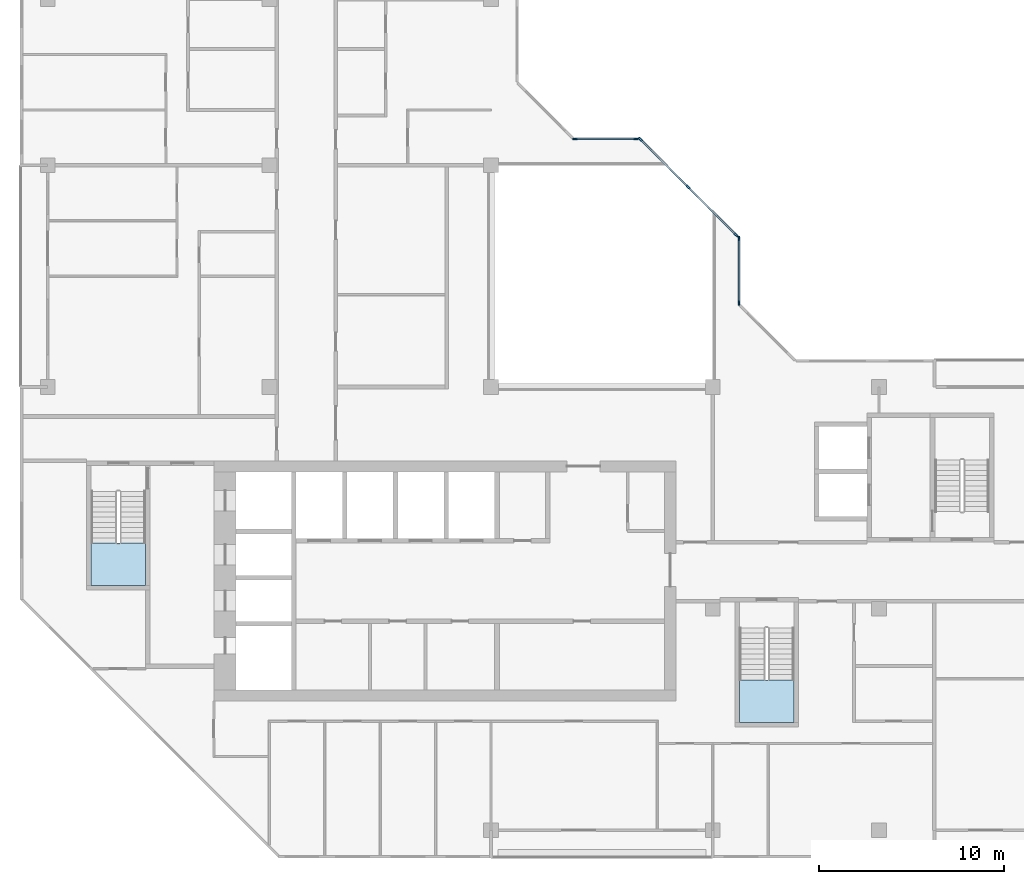
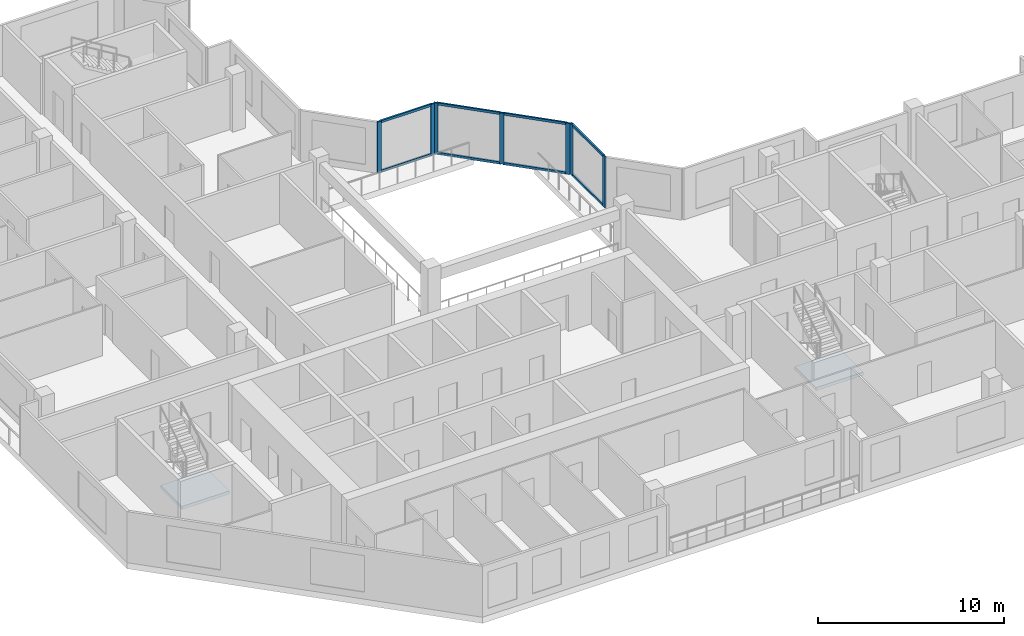
# One storey, part 2 of 13: 15 members, 2 slabs, 5 elements without a shape of their own.
"""IFC4 building model written with IfcOpenShell, lengths in metres."""

from ifc_helpers import new_model, si_unit, direction, frame, origin, origin_2d, place, context, subcontext, project, spatial, polyline, rectangle, outline, extrude, material, layer, layer_set, material_profile, profile_set, type_object, element, aggregate, save


model = new_model("IFC4")

# Units and contexts
model_context = context("Model", 3, precision=1e-05, world=origin(), true_north=direction((0.0, 1.0)))
body_context = subcontext(model_context, "Body", "Model", "MODEL_VIEW")
ifc_project = project(units=[si_unit("LENGTHUNIT", "METRE"), si_unit("AREAUNIT", "SQUARE_METRE"), si_unit("VOLUMEUNIT", "CUBIC_METRE"), si_unit("PLANEANGLEUNIT", "RADIAN"), si_unit("MASSUNIT", "GRAM", prefix="KILO")], contexts=[model_context])

# Site, building, storey
site_placement = place(None, origin())
site = spatial("IfcSite", under=ifc_project, at=site_placement, CompositionType="ELEMENT")
building_placement = place(site_placement, origin())
building = spatial("IfcBuilding", under=site, at=building_placement, Name="Chenar Terraces", CompositionType="ELEMENT")
storey_placement = place(building_placement, frame((0.0, 0.0, 277.14990234375)))
storey = spatial("IfcBuildingStorey", under=building, at=storey_placement, Name="L64", CompositionType="ELEMENT", Elevation=277.14990234375)

# Curtain wall, members
ifc_material_1 = material(Name="Aluminium framed glazing", Category="aluminium")
ifc_layer_1 = layer(ifc_material_1, 0.14990234375)
ifc_layer_set_1 = layer_set([ifc_layer_1], Name="Aluminium framed glazing")
curtain_wall_type = type_object("IfcCurtainWallType", Name="Atrium upper-zone curtain wall", PredefinedType="NOTDEFINED", material=ifc_layer_set_1)
placement_1 = place(storey_placement, origin())
curtain_wall_1 = element("IfcCurtainWall", 1, at=placement_1, inside=storey, type_object=curtain_wall_type, Name="Atrium upper-zone curtain wall", PredefinedType="NOTDEFINED")
ifc_material_2 = material(Name="Aluminium", Category="aluminium")
ifc_material_profile_1 = material_profile(ifc_material_2, rectangle(XDim=0.10009765625, YDim=0.239990234375, at=origin_2d()), Name="Atrium upper-zone glazing mullion 100 x 240")
ifc_profile_set_1 = profile_set([ifc_material_profile_1], Name="Aluminium")
member_type_1 = type_object("IfcMemberType", Name="Atrium upper-zone glazing mullion 100 x 240", PredefinedType="MULLION", material=ifc_profile_set_1)
member_1_placement = place(storey_placement, frame((37.425048828125, 28.550048828125, 0.0), z_axis=(0.0, 0.0, 1.0), x_axis=(-1.0, 0.0, 0.0)))
member_1 = element("IfcMember", 2, at=member_1_placement, type_object=member_type_1, Name="CW8-1 mullion 1", PredefinedType="MULLION", context=body_context, shape_type="SweptSolid", body=[
    extrude(rectangle(XDim=0.10009765625, YDim=0.239990234375, at=origin_2d()), origin(), (0.0, 0.0, 1.0), 3.35009765625),
])
member_2_placement = place(storey_placement, frame((37.425048828125, 32.050048828125, 0.0), z_axis=(0.0, 0.0, 1.0), x_axis=(-1.0, 0.0, 0.0)))
member_2 = element("IfcMember", 3, at=member_2_placement, type_object=member_type_1, Name="CW8-1 mullion 2", PredefinedType="MULLION", context=body_context, shape_type="SweptSolid", body=[
    extrude(rectangle(XDim=0.10009765625, YDim=0.239990234375, at=origin_2d()), origin(), (0.0, 0.0, 1.0), 3.35009765625),
])

curtain_wall_2 = element("IfcCurtainWall", 4, at=placement_1, inside=storey, type_object=curtain_wall_type, Name="Atrium upper-zone curtain wall", PredefinedType="NOTDEFINED")
member_3_placement = place(storey_placement, frame((37.270263671875, 32.2236328125, 0.0), z_axis=(0.0, 0.0, 1.0), x_axis=(-0.707106781187, -0.707106781187, 0.0)))
member_3 = element("IfcMember", 5, at=member_3_placement, type_object=member_type_1, Name="CW8-2 mullion 1", PredefinedType="MULLION", context=body_context, shape_type="SweptSolid", body=[
    extrude(rectangle(XDim=0.10009765625, YDim=0.239990234375, at=origin_2d()), origin(), (0.0, 0.0, 1.0), 3.35009765625),
])
member_4_placement = place(storey_placement, frame((34.67626953125, 34.817626953125, 0.0), z_axis=(0.0, 0.0, 1.0), x_axis=(-0.707106781187, -0.707106781187, 0.0)))
member_4 = element("IfcMember", 6, at=member_4_placement, type_object=member_type_1, Name="CW8-2 mullion 2", PredefinedType="MULLION", context=body_context, shape_type="SweptSolid", body=[
    extrude(rectangle(XDim=0.10009765625, YDim=0.239990234375, at=origin_2d()), origin(), (0.0, 0.0, 1.0), 3.35009765625),
])
member_5_placement = place(storey_placement, frame((32.082275390625, 37.41162109375, 0.0), z_axis=(0.0, 0.0, 1.0), x_axis=(-0.707106781187, -0.707106781187, 0.0)))
member_5 = element("IfcMember", 7, at=member_5_placement, type_object=member_type_1, Name="CW8-2 mullion 3", PredefinedType="MULLION", context=body_context, shape_type="SweptSolid", body=[
    extrude(rectangle(XDim=0.10009765625, YDim=0.239990234375, at=origin_2d()), origin(), (0.0, 0.0, 1.0), 3.35009765625),
])

curtain_wall_3 = element("IfcCurtainWall", 8, at=placement_1, inside=storey, type_object=curtain_wall_type, Name="Atrium upper-zone curtain wall", PredefinedType="NOTDEFINED")
member_6_placement = place(storey_placement, frame((31.85009765625, 37.425048828125, 0.0), z_axis=(0.0, 0.0, 1.0), x_axis=(0.0, -1.0, 0.0)))
member_6 = element("IfcMember", 9, at=member_6_placement, type_object=member_type_1, Name="CW8-3 mullion 1", PredefinedType="MULLION", context=body_context, shape_type="SweptSolid", body=[
    extrude(rectangle(XDim=0.10009765625, YDim=0.239990234375, at=origin_2d()), origin(), (0.0, 0.0, 1.0), 3.35009765625),
])
member_7_placement = place(storey_placement, frame((28.550048828125, 37.425048828125, 0.0), z_axis=(0.0, 0.0, 1.0), x_axis=(0.0, -1.0, 0.0)))
member_7 = element("IfcMember", 10, at=member_7_placement, type_object=member_type_1, Name="CW8-3 mullion 2", PredefinedType="MULLION", context=body_context, shape_type="SweptSolid", body=[
    extrude(rectangle(XDim=0.10009765625, YDim=0.239990234375, at=origin_2d()), origin(), (0.0, 0.0, 1.0), 3.35009765625),
])

# Member
ifc_material_3 = material(Name="Aluminium", Category="aluminium")
ifc_material_profile_2 = material_profile(ifc_material_3, rectangle(XDim=0.10009765625, YDim=0.159912109375, at=origin_2d()), Name="Atrium upper-zone glazing transom 100 x 160")
ifc_profile_set_2 = profile_set([ifc_material_profile_2], Name="Aluminium")
member_type_2 = type_object("IfcMemberType", Name="Atrium upper-zone glazing transom 100 x 160", PredefinedType="USERDEFINED", material=ifc_profile_set_2)
member_8_placement = place(storey_placement, frame((37.425048828125, 28.60009765625, 0.050048828125), z_axis=(0.0, 1.0, 0.0), x_axis=(-1.0, 0.0, 0.0)))
member_8 = element("IfcMember", 11, at=member_8_placement, type_object=member_type_2, Name="CW8-1 transom 1.1", ObjectType="TRANSOM", PredefinedType="USERDEFINED", context=body_context, shape_type="SweptSolid", body=[
    extrude(rectangle(XDim=0.10009765625, YDim=0.159912109375, at=origin_2d()), origin(), (0.0, 0.0, 1.0), 3.39990234375),
])

member_9_placement = place(storey_placement, frame((37.425048828125, 28.60009765625, 3.300048828125), z_axis=(0.0, 1.0, 0.0), x_axis=(-1.0, 0.0, 0.0)))
member_9 = element("IfcMember", 12, at=member_9_placement, type_object=member_type_2, Name="CW8-1 transom 1.2", ObjectType="TRANSOM", PredefinedType="USERDEFINED", context=body_context, shape_type="SweptSolid", body=[
    extrude(rectangle(XDim=0.10009765625, YDim=0.159912109375, at=origin_2d()), origin(), (0.0, 0.0, 1.0), 3.39990234375),
])

aggregate(curtain_wall_1, [member_1, member_2, member_8, member_9])

member_10_placement = place(storey_placement, frame((37.23486328125, 32.259033203125, 0.050048828125), z_axis=(-0.707106781187, 0.707106781187, 0.0), x_axis=(-0.707106781187, -0.707106781187, 0.0)))
member_10 = element("IfcMember", 13, at=member_10_placement, type_object=member_type_2, Name="CW8-2 transom 1.1", ObjectType="TRANSOM", PredefinedType="USERDEFINED", context=body_context, shape_type="SweptSolid", body=[
    extrude(rectangle(XDim=0.10009765625, YDim=0.159912109375, at=origin_2d()), origin(), (0.0, 0.0, 1.0), 3.568359375),
])

member_11_placement = place(storey_placement, frame((37.23486328125, 32.259033203125, 3.300048828125), z_axis=(-0.707106781187, 0.707106781187, 0.0), x_axis=(-0.707106781187, -0.707106781187, 0.0)))
member_11 = element("IfcMember", 14, at=member_11_placement, type_object=member_type_2, Name="CW8-2 transom 1.2", ObjectType="TRANSOM", PredefinedType="USERDEFINED", context=body_context, shape_type="SweptSolid", body=[
    extrude(rectangle(XDim=0.10009765625, YDim=0.159912109375, at=origin_2d()), origin(), (0.0, 0.0, 1.0), 3.568359375),
])

member_12_placement = place(storey_placement, frame((34.640869140625, 34.85302734375, 0.050048828125), z_axis=(-0.707106781187, 0.707106781187, 0.0), x_axis=(-0.707106781187, -0.707106781187, 0.0)))
member_12 = element("IfcMember", 15, at=member_12_placement, type_object=member_type_2, Name="CW8-2 transom 2.1", ObjectType="TRANSOM", PredefinedType="USERDEFINED", context=body_context, shape_type="SweptSolid", body=[
    extrude(rectangle(XDim=0.10009765625, YDim=0.159912109375, at=origin_2d()), origin(), (0.0, 0.0, 1.0), 3.568359375),
])

member_13_placement = place(storey_placement, frame((34.640869140625, 34.85302734375, 3.300048828125), z_axis=(-0.707106781187, 0.707106781187, 0.0), x_axis=(-0.707106781187, -0.707106781187, 0.0)))
member_13 = element("IfcMember", 16, at=member_13_placement, type_object=member_type_2, Name="CW8-2 transom 2.2", ObjectType="TRANSOM", PredefinedType="USERDEFINED", context=body_context, shape_type="SweptSolid", body=[
    extrude(rectangle(XDim=0.10009765625, YDim=0.159912109375, at=origin_2d()), origin(), (0.0, 0.0, 1.0), 3.568359375),
])

aggregate(curtain_wall_2, [member_3, member_4, member_5, member_10, member_11, member_12, member_13])

member_14_placement = place(storey_placement, frame((31.800048828125, 37.425048828125, 0.050048828125), z_axis=(-1.0, 0.0, 0.0), x_axis=(0.0, -1.0, 0.0)))
member_14 = element("IfcMember", 17, at=member_14_placement, type_object=member_type_2, Name="CW8-3 transom 1.1", ObjectType="TRANSOM", PredefinedType="USERDEFINED", context=body_context, shape_type="SweptSolid", body=[
    extrude(rectangle(XDim=0.10009765625, YDim=0.159912109375, at=origin_2d()), origin(), (0.0, 0.0, 1.0), 3.199951171875),
])

member_15_placement = place(storey_placement, frame((31.800048828125, 37.425048828125, 3.300048828125), z_axis=(-1.0, 0.0, 0.0), x_axis=(0.0, -1.0, 0.0)))
member_15 = element("IfcMember", 18, at=member_15_placement, type_object=member_type_2, Name="CW8-3 transom 1.2", ObjectType="TRANSOM", PredefinedType="USERDEFINED", context=body_context, shape_type="SweptSolid", body=[
    extrude(rectangle(XDim=0.10009765625, YDim=0.159912109375, at=origin_2d()), origin(), (0.0, 0.0, 1.0), 3.199951171875),
])

aggregate(curtain_wall_3, [member_6, member_7, member_14, member_15])

# Stair, slab
ifc_material_4 = material(Name="Reinforced concrete C40/50", Category="concrete")
stair_type = type_object("IfcStairType", Name="Core stair 1400 half-turn", PredefinedType="HALF_TURN_STAIR", material=ifc_material_4)
stair_1 = element("IfcStair", 19, at=placement_1, inside=storey, type_object=stair_type, Name="L64 Stair 1", PredefinedType="HALF_TURN_STAIR")
ifc_material_5 = material(Name="Reinforced concrete C40/50", Category="concrete")
ifc_layer_2 = layer(ifc_material_5, 0.199951171875)
ifc_layer_set_2 = layer_set([ifc_layer_2], Name="Reinforced concrete C40/50")
slab_type = type_object("IfcSlabType", Name="Core stair landing 200", PredefinedType="LANDING", material=ifc_layer_set_2)
placement_2 = place(storey_placement, frame((0.0, 0.0, 1.675048828125)))
slab_1 = element("IfcSlab", 20, at=placement_2, type_object=slab_type, Name="ST1 landing 1", PredefinedType="LANDING", context=body_context, shape_type="SweptSolid", body=[
    extrude(outline(polyline([(2.35009765625, 15.550048828125), (2.35009765625, 13.25), (5.300048828125, 13.25), (5.300048828125, 15.550048828125), (2.35009765625, 15.550048828125)])), origin(), (0.0, 0.0, 1.0), 0.199951171875),
])
aggregate(stair_1, [slab_1])

stair_2 = element("IfcStair", 21, at=placement_1, inside=storey, type_object=stair_type, Name="L64 Stair 2", PredefinedType="HALF_TURN_STAIR")
slab_2 = element("IfcSlab", 22, at=placement_2, type_object=slab_type, Name="ST2 landing 1", PredefinedType="LANDING", context=body_context, shape_type="SweptSolid", body=[
    extrude(outline(polyline([(37.449951171875, 8.14990234375), (37.449951171875, 5.85009765625), (40.39990234375, 5.85009765625), (40.39990234375, 8.14990234375), (37.449951171875, 8.14990234375)])), origin(), (0.0, 0.0, 1.0), 0.199951171875),
])
aggregate(stair_2, [slab_2])

save(model, "model.ifc")
